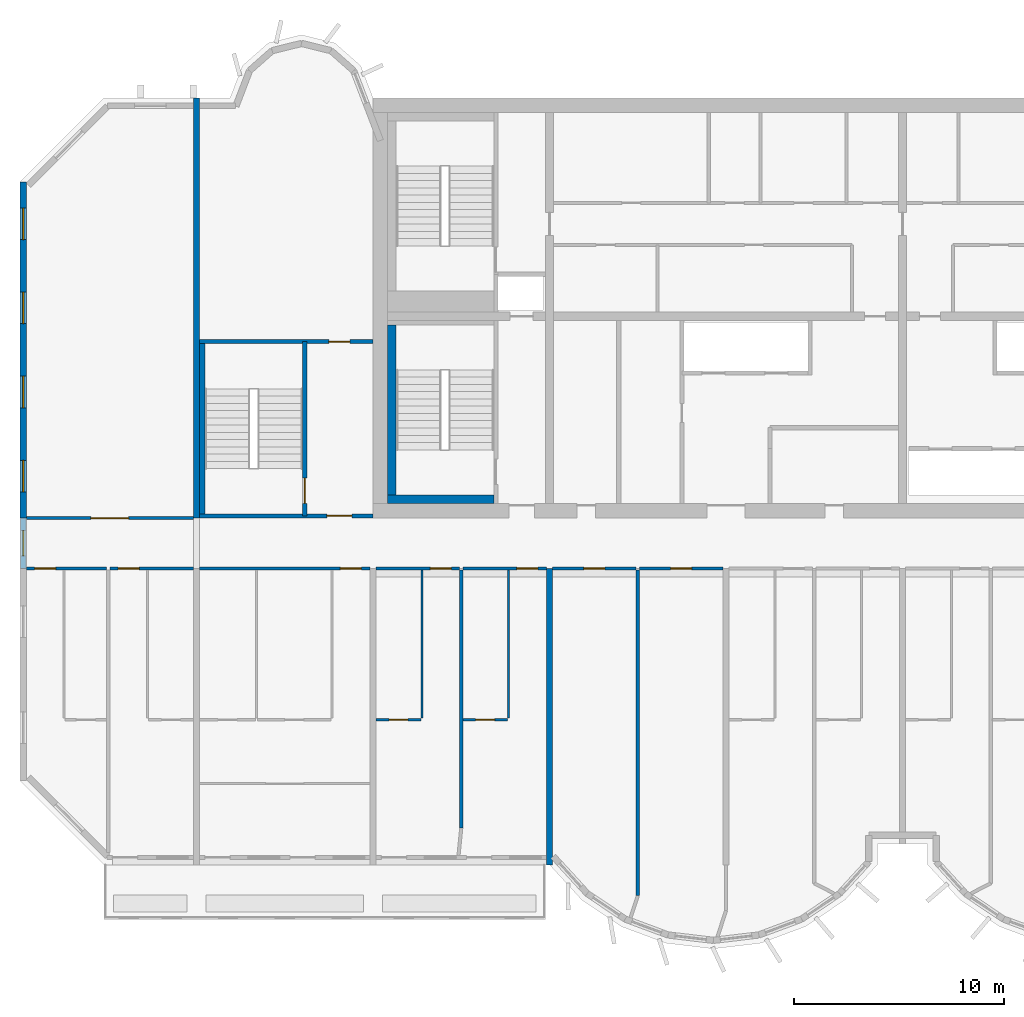
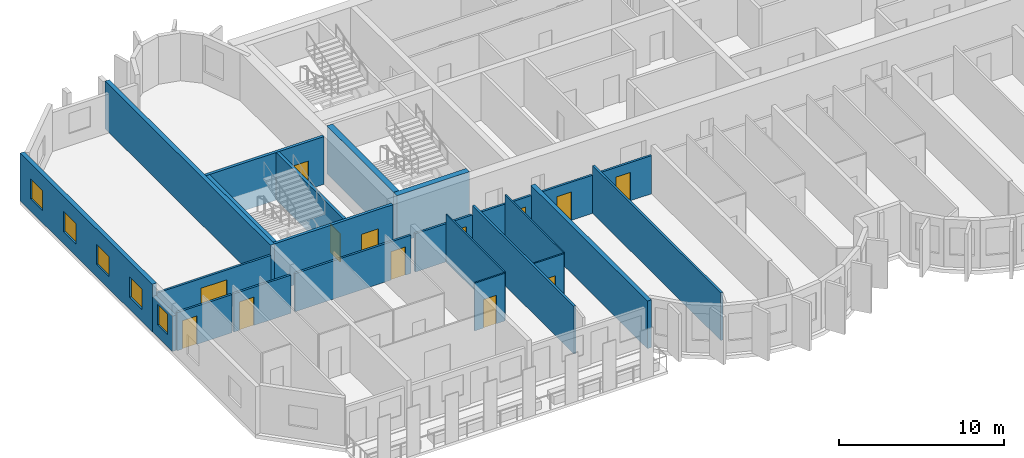
# One storey, part 3 of 13: 24 walls, 13 doors, 5 windows, 18 openings.
"""IFC4 building model written with IfcOpenShell, lengths in metres."""

from ifc_helpers import new_model, si_unit, direction, frame, frame_2d, origin, place, context, subcontext, project, spatial, rectangle, extrude, source, transform, mapped, material, layer, layer_set, type_object, element, fill, save


model = new_model("IFC4")

# Units and contexts
model_context = context("Model", 3, precision=1e-05, world=origin(), true_north=direction((0.0, 1.0)))
body_context = subcontext(model_context, "Body", "Model", "MODEL_VIEW")
ifc_project = project(units=[si_unit("LENGTHUNIT", "METRE"), si_unit("AREAUNIT", "SQUARE_METRE"), si_unit("VOLUMEUNIT", "CUBIC_METRE"), si_unit("PLANEANGLEUNIT", "RADIAN"), si_unit("MASSUNIT", "GRAM", prefix="KILO")], contexts=[model_context])

# Site, building, storey
site_placement = place(None, origin())
site = spatial("IfcSite", under=ifc_project, at=site_placement, CompositionType="ELEMENT")
building_placement = place(site_placement, origin())
building = spatial("IfcBuilding", under=site, at=building_placement, Name="Vanashikhar Sky Hotel", CompositionType="ELEMENT")
storey_placement = place(building_placement, frame((0.0, 0.0, 163.0)))
storey = spatial("IfcBuildingStorey", under=building, at=storey_placement, Name="L39", CompositionType="ELEMENT", Elevation=163.0)

# Wall, openings, windows
ifc_material_1 = material(Name="Concrete M60", Category="concrete")
ifc_layer_1 = layer(ifc_material_1, 0.300048828125)
ifc_layer_set_1 = layer_set([ifc_layer_1], Name="RC shear wall 300 Concrete M60")
wall_type_1 = type_object("IfcWallType", Name="RC shear wall 300 Concrete M60", PredefinedType="SHEAR", material=ifc_layer_set_1)
shared_shape_1 = source(origin(), body_context, "Body", "SweptSolid", [
    extrude(rectangle(XDim=16.0, YDim=0.300048828125, at=frame_2d((8.0, 0.0))), origin(), (0.0, 0.0, 1.0), 3.52001953125),
])
wall_1_placement = place(storey_placement, frame((8.550048828125, 22.0, 0.0), z_axis=(0.0, 0.0, 1.0), x_axis=(0.0, 1.0, 0.0)))
wall_1 = element("IfcWall", 1, at=wall_1_placement, inside=storey, type_object=wall_type_1, Name="CW-L39-XW02-2", PredefinedType="SHEAR", context=body_context, shape_type="MappedRepresentation", body=[
    mapped(shared_shape_1, transform((0.0, 0.0, 0.0), scale=1.0)),
])
shared_shape_2 = source(origin(), body_context, "Body", "SweptSolid", [
    extrude(rectangle(XDim=1.5, YDim=1.5, at=frame_2d((0.75, 0.75))), frame((0.0, 0.16015625, 0.0), z_axis=(0.0, -1.0, 0.0), x_axis=(1.0, 0.0, 0.0)), (0.0, 0.0, 1.0), 0.320068359375),
])
opening_1_placement = place(wall_1_placement, frame((1.25, 0.0, 0.89990234375)))
opening_1 = element("IfcOpeningElement", 2, at=opening_1_placement, cuts=wall_1, Name="Opening WN-1", PredefinedType="OPENING", context=body_context, shape_type="MappedRepresentation", body=[
    mapped(shared_shape_2, transform((0.0, 0.0, 0.0), scale=1.0)),
])
opening_2_placement = place(wall_1_placement, frame((5.25, 0.0, 0.89990234375)))
opening_2 = element("IfcOpeningElement", 3, at=opening_2_placement, cuts=wall_1, Name="Opening WN-1", PredefinedType="OPENING", context=body_context, shape_type="MappedRepresentation", body=[
    mapped(shared_shape_2, transform((0.0, 0.0, 0.0), scale=1.0)),
])
opening_3_placement = place(wall_1_placement, frame((9.25, 0.0, 0.89990234375)))
opening_3 = element("IfcOpeningElement", 4, at=opening_3_placement, cuts=wall_1, Name="Opening WN-1", PredefinedType="OPENING", context=body_context, shape_type="MappedRepresentation", body=[
    mapped(shared_shape_2, transform((0.0, 0.0, 0.0), scale=1.0)),
])
opening_4_placement = place(wall_1_placement, frame((13.25, 0.0, 0.89990234375)))
opening_4 = element("IfcOpeningElement", 5, at=opening_4_placement, cuts=wall_1, Name="Opening WN-1", PredefinedType="OPENING", context=body_context, shape_type="MappedRepresentation", body=[
    mapped(shared_shape_2, transform((0.0, 0.0, 0.0), scale=1.0)),
])
ifc_material_2 = material(Name="Glass", Category="glass")
window_type_1 = type_object("IfcWindowType", Name="Window 1500 x 1500", PartitioningType="SINGLE_PANEL", PredefinedType="WINDOW", material=ifc_material_2)
shared_shape_3 = source(origin(), body_context, "Body", "SweptSolid", [
    extrude(rectangle(XDim=1.5, YDim=1.5, at=frame_2d((0.75, 0.75))), frame((0.0, 0.030029296875, 0.0), z_axis=(0.0, -1.0, 0.0), x_axis=(1.0, 0.0, 0.0)), (0.0, 0.0, 1.0), 0.06005859375),
])
window_1_placement = place(opening_1_placement, origin())
window_1 = element("IfcWindow", 6, at=window_1_placement, inside=storey, type_object=window_type_1, Name="Window WN-1", OverallHeight=1.5, OverallWidth=1.5, PartitioningType="SINGLE_PANEL", PredefinedType="WINDOW", context=body_context, shape_type="MappedRepresentation", body=[
    mapped(shared_shape_3, transform((0.0, 0.0, 0.0), scale=1.0)),
])
fill(opening_1, window_1)
window_2_placement = place(opening_2_placement, origin())
window_2 = element("IfcWindow", 7, at=window_2_placement, inside=storey, type_object=window_type_1, Name="Window WN-1", OverallHeight=1.5, OverallWidth=1.5, PartitioningType="SINGLE_PANEL", PredefinedType="WINDOW", context=body_context, shape_type="MappedRepresentation", body=[
    mapped(shared_shape_3, transform((0.0, 0.0, 0.0), scale=1.0)),
])
fill(opening_2, window_2)
window_3_placement = place(opening_3_placement, origin())
window_3 = element("IfcWindow", 8, at=window_3_placement, inside=storey, type_object=window_type_1, Name="Window WN-1", OverallHeight=1.5, OverallWidth=1.5, PartitioningType="SINGLE_PANEL", PredefinedType="WINDOW", context=body_context, shape_type="MappedRepresentation", body=[
    mapped(shared_shape_3, transform((0.0, 0.0, 0.0), scale=1.0)),
])
fill(opening_3, window_3)
window_4_placement = place(opening_4_placement, origin())
window_4 = element("IfcWindow", 9, at=window_4_placement, inside=storey, type_object=window_type_1, Name="Window WN-1", OverallHeight=1.5, OverallWidth=1.5, PartitioningType="SINGLE_PANEL", PredefinedType="WINDOW", context=body_context, shape_type="MappedRepresentation", body=[
    mapped(shared_shape_3, transform((0.0, 0.0, 0.0), scale=1.0)),
])
fill(opening_4, window_4)

# Walls
shared_shape_4 = source(origin(), body_context, "Body", "SweptSolid", [
    extrude(rectangle(XDim=14.10009765625, YDim=0.300048828125, at=frame_2d((7.050048828125, 0.0))), origin(), (0.0, 0.0, 1.0), 3.52001953125),
])
wall_2_placement = place(storey_placement, frame((33.60009765625, 5.5, 0.0), z_axis=(0.0, 0.0, 1.0), x_axis=(0.0, 1.0, 0.0)))
element("IfcWall", 10, at=wall_2_placement, inside=storey, type_object=wall_type_1, Name="CW-L39-XW05-1", PredefinedType="SHEAR", context=body_context, shape_type="MappedRepresentation", body=[
    mapped(shared_shape_4, transform((0.0, 0.0, 0.0), scale=1.0)),
])
shared_shape_5 = source(origin(), body_context, "Body", "SweptSolid", [
    extrude(rectangle(XDim=20.0, YDim=0.300048828125, at=frame_2d((10.0, 0.0))), origin(), (0.0, 0.0, 1.0), 3.52001953125),
])
wall_3_placement = place(storey_placement, frame((16.800048828125, 22.0, 0.0), z_axis=(0.0, 0.0, 1.0), x_axis=(0.0, 1.0, 0.0)))
element("IfcWall", 11, at=wall_3_placement, inside=storey, type_object=wall_type_1, Name="CW-L39-XW03-2", PredefinedType="SHEAR", context=body_context, shape_type="MappedRepresentation", body=[
    mapped(shared_shape_5, transform((0.0, 0.0, 0.0), scale=1.0)),
])

# Wall, opening, window
ifc_material_3 = material(Name="Concrete M50", Category="concrete")
ifc_layer_2 = layer(ifc_material_3, 0.25)
ifc_layer_set_2 = layer_set([ifc_layer_2], Name="Rear and end board-marked wall 250")
wall_type_2 = type_object("IfcWallType", Name="Rear and end board-marked wall 250", PredefinedType="SOLIDWALL", material=ifc_layer_set_2)
shared_shape_6 = source(origin(), body_context, "Body", "SweptSolid", [
    extrude(rectangle(XDim=2.39990234375, YDim=0.25, at=frame_2d((1.199951171875, 0.0))), origin(), (0.0, 0.0, 1.0), 2.6201171875),
])
wall_4_placement = place(storey_placement, frame((8.550048828125, 19.60009765625, 0.0), z_axis=(0.0, 0.0, 1.0), x_axis=(0.0, 1.0, 0.0)))
wall_4 = element("IfcWall", 12, at=wall_4_placement, inside=storey, type_object=wall_type_2, Name="End corridor infill wall", PredefinedType="SOLIDWALL", context=body_context, shape_type="MappedRepresentation", body=[
    mapped(shared_shape_6, transform((0.0, 0.0, 0.0), scale=1.0)),
])
shared_shape_7 = source(origin(), body_context, "Body", "SweptSolid", [
    extrude(rectangle(XDim=1.199951171875, YDim=1.5, at=frame_2d((0.60009765625, 0.75))), frame((0.0, 0.135009765625, 0.0), z_axis=(0.0, -1.0, 0.0), x_axis=(1.0, 0.0, 0.0)), (0.0, 0.0, 1.0), 0.27001953125),
])
opening_5_placement = place(wall_4_placement, frame((0.60009765625, 0.0, 0.89990234375)))
opening_5 = element("IfcOpeningElement", 13, at=opening_5_placement, cuts=wall_4, Name="Opening WN-3", PredefinedType="OPENING", context=body_context, shape_type="MappedRepresentation", body=[
    mapped(shared_shape_7, transform((0.0, 0.0, 0.0), scale=1.0)),
])
window_type_2 = type_object("IfcWindowType", Name="Corridor end window 1200 x 1500", PartitioningType="SINGLE_PANEL", PredefinedType="WINDOW", material=ifc_material_2)
shared_shape_8 = source(origin(), body_context, "Body", "SweptSolid", [
    extrude(rectangle(XDim=1.199951171875, YDim=1.5, at=frame_2d((0.60009765625, 0.75))), frame((0.0, 0.030029296875, 0.0), z_axis=(0.0, -1.0, 0.0), x_axis=(1.0, 0.0, 0.0)), (0.0, 0.0, 1.0), 0.06005859375),
])
window_5_placement = place(opening_5_placement, origin())
window_5 = element("IfcWindow", 14, at=window_5_placement, inside=storey, type_object=window_type_2, Name="Window WN-3", OverallHeight=1.5, OverallWidth=1.199951171875, PartitioningType="SINGLE_PANEL", PredefinedType="WINDOW", context=body_context, shape_type="MappedRepresentation", body=[
    mapped(shared_shape_8, transform((0.0, 0.0, 0.0), scale=1.0)),
])
fill(opening_5, window_5)

# Wall, opening, door
ifc_layer_3 = layer(ifc_material_3, 0.199951171875)
ifc_layer_set_3 = layer_set([ifc_layer_3], Name="Stair wall 200")
wall_type_3 = type_object("IfcWallType", Name="Stair wall 200", PredefinedType="SOLIDWALL", material=ifc_layer_set_3)
shared_shape_9 = source(origin(), body_context, "Body", "SweptSolid", [
    extrude(rectangle(XDim=8.2998046875, YDim=0.199951171875, at=frame_2d((4.14990234375, 0.0))), origin(), (0.0, 0.0, 1.0), 3.52001953125),
])
wall_5_placement = place(storey_placement, frame((21.949951171875, 22.10009765625, 0.0), z_axis=(0.0, 0.0, 1.0), x_axis=(0.0, 1.0, 0.0)))
wall_5 = element("IfcWall", 15, at=wall_5_placement, inside=storey, type_object=wall_type_3, Name="Stair wall 200", PredefinedType="SOLIDWALL", context=body_context, shape_type="MappedRepresentation", body=[
    mapped(shared_shape_9, transform((0.0, 0.0, 0.0), scale=1.0)),
])
shared_shape_10 = source(origin(), body_context, "Body", "SweptSolid", [
    extrude(rectangle(XDim=1.199951171875, YDim=2.10009765625, at=frame_2d((0.60009765625, 1.050048828125))), frame((0.0, 0.10986328125, 0.0), z_axis=(0.0, -1.0, 0.0), x_axis=(1.0, 0.0, 0.0)), (0.0, 0.0, 1.0), 0.219970703125),
])
opening_6_placement = place(wall_5_placement, frame((0.60009765625, 0.0, 0.0)))
opening_6 = element("IfcOpeningElement", 16, at=opening_6_placement, cuts=wall_5, Name="Opening DC-1", PredefinedType="OPENING", context=body_context, shape_type="MappedRepresentation", body=[
    mapped(shared_shape_10, transform((0.0, 0.0, 0.0), scale=1.0)),
])
ifc_material_4 = material(Name="Steel", Category="steel")
door_type_1 = type_object("IfcDoorType", Name="Stair door 1200 FD120", OperationType="NOTDEFINED", PredefinedType="DOOR", material=ifc_material_4)
shared_shape_11 = source(origin(), body_context, "Body", "SweptSolid", [
    extrude(rectangle(XDim=1.199951171875, YDim=2.10009765625, at=frame_2d((0.60009765625, 1.050048828125))), frame((0.0, 0.02490234375, 0.0), z_axis=(0.0, -1.0, 0.0), x_axis=(1.0, 0.0, 0.0)), (0.0, 0.0, 1.0), 0.050048828125),
])
door_1_placement = place(opening_6_placement, origin())
door_1 = element("IfcDoor", 17, at=door_1_placement, inside=storey, type_object=door_type_1, Name="Stair door 1200 FD120", OperationType="SINGLE_SWING_LEFT", OverallHeight=2.10009765625, OverallWidth=1.199951171875, PredefinedType="DOOR", context=body_context, shape_type="MappedRepresentation", body=[
    mapped(shared_shape_11, transform((0.0, 0.0, 0.0), scale=1.0)),
])
fill(opening_6, door_1)

shared_shape_12 = source(origin(), body_context, "Body", "SweptSolid", [
    extrude(rectangle(XDim=8.25, YDim=0.199951171875, at=frame_2d((4.125, 0.0))), origin(), (0.0, 0.0, 1.0), 3.52001953125),
])
wall_6_placement = place(storey_placement, frame((16.949951171875, 22.10009765625, 0.0), z_axis=(0.0, 0.0, 1.0), x_axis=(1.0, 0.0, 0.0)))
wall_6 = element("IfcWall", 18, at=wall_6_placement, inside=storey, type_object=wall_type_3, Name="Stair wall 200", PredefinedType="SOLIDWALL", context=body_context, shape_type="MappedRepresentation", body=[
    mapped(shared_shape_12, transform((0.0, 0.0, 0.0), scale=1.0)),
])
opening_7_placement = place(wall_6_placement, frame((6.050048828125, 0.0, 0.0)))
opening_7 = element("IfcOpeningElement", 19, at=opening_7_placement, cuts=wall_6, Name="Opening DC-2", PredefinedType="OPENING", context=body_context, shape_type="MappedRepresentation", body=[
    mapped(shared_shape_10, transform((0.0, 0.0, 0.0), scale=1.0)),
])
door_type_2 = type_object("IfcDoorType", Name="Firefighting lobby door 1200 FD120", OperationType="NOTDEFINED", PredefinedType="DOOR", material=ifc_material_4)
door_2_placement = place(opening_7_placement, origin())
door_2 = element("IfcDoor", 20, at=door_2_placement, inside=storey, type_object=door_type_2, Name="Firefighting lobby door 1200 FD120", OperationType="SINGLE_SWING_RIGHT", OverallHeight=2.10009765625, OverallWidth=1.199951171875, PredefinedType="DOOR", context=body_context, shape_type="MappedRepresentation", body=[
    mapped(shared_shape_11, transform((0.0, 0.0, 0.0), scale=1.0)),
])
fill(opening_7, door_2)

wall_7_placement = place(storey_placement, frame((16.949951171875, 30.39990234375, 0.0), z_axis=(0.0, 0.0, 1.0), x_axis=(1.0, 0.0, 0.0)))
wall_7 = element("IfcWall", 21, at=wall_7_placement, inside=storey, type_object=wall_type_3, Name="Stair wall 200", PredefinedType="SOLIDWALL", context=body_context, shape_type="MappedRepresentation", body=[
    mapped(shared_shape_12, transform((0.0, 0.0, 0.0), scale=1.0)),
])
shared_shape_13 = source(origin(), body_context, "Body", "SweptSolid", [
    extrude(rectangle(XDim=1.0, YDim=2.10009765625, at=frame_2d((0.5, 1.050048828125))), frame((0.0, 0.10986328125, 0.0), z_axis=(0.0, -1.0, 0.0), x_axis=(1.0, 0.0, 0.0)), (0.0, 0.0, 1.0), 0.219970703125),
])
opening_8_placement = place(wall_7_placement, frame((6.14990234375, 0.0, 0.0)))
opening_8 = element("IfcOpeningElement", 22, at=opening_8_placement, cuts=wall_7, Name="Opening DC-6", PredefinedType="OPENING", context=body_context, shape_type="MappedRepresentation", body=[
    mapped(shared_shape_13, transform((0.0, 0.0, 0.0), scale=1.0)),
])
door_type_3 = type_object("IfcDoorType", Name="Pocket door 1000 FD60", OperationType="NOTDEFINED", PredefinedType="DOOR", material=ifc_material_4)
shared_shape_14 = source(origin(), body_context, "Body", "SweptSolid", [
    extrude(rectangle(XDim=1.0, YDim=2.10009765625, at=frame_2d((0.5, 1.050048828125))), frame((0.0, 0.02490234375, 0.0), z_axis=(0.0, -1.0, 0.0), x_axis=(1.0, 0.0, 0.0)), (0.0, 0.0, 1.0), 0.050048828125),
])
door_3_placement = place(opening_8_placement, origin())
door_3 = element("IfcDoor", 23, at=door_3_placement, inside=storey, type_object=door_type_3, Name="Pocket door 1000 FD60", OperationType="SINGLE_SWING_RIGHT", OverallHeight=2.10009765625, OverallWidth=1.0, PredefinedType="DOOR", context=body_context, shape_type="MappedRepresentation", body=[
    mapped(shared_shape_14, transform((0.0, 0.0, 0.0), scale=1.0)),
])
fill(opening_8, door_3)

# Walls
ifc_layer_4 = layer(ifc_material_3, 0.39990234375)
ifc_layer_set_4 = layer_set([ifc_layer_4], Name="Stair infill wall 400")
wall_type_4 = type_object("IfcWallType", Name="Stair infill wall 400", PredefinedType="SOLIDWALL", material=ifc_layer_set_4)
shared_shape_15 = source(origin(), body_context, "Body", "SweptSolid", [
    extrude(rectangle(XDim=5.050048828125, YDim=0.39990234375, at=frame_2d((2.52490234375, 0.0))), origin(), (0.0, 0.0, 1.0), 3.52001953125),
])
wall_8_placement = place(storey_placement, frame((25.89990234375, 22.89990234375, 0.0), z_axis=(0.0, 0.0, 1.0), x_axis=(1.0, 0.0, 0.0)))
element("IfcWall", 24, at=wall_8_placement, inside=storey, type_object=wall_type_4, Name="Stair infill wall 400", PredefinedType="SOLIDWALL", context=body_context, shape_type="MappedRepresentation", body=[
    mapped(shared_shape_15, transform((0.0, 0.0, 0.0), scale=1.0)),
])
shared_shape_16 = source(origin(), body_context, "Body", "SweptSolid", [
    extrude(rectangle(XDim=8.099853515625, YDim=0.39990234375, at=frame_2d((4.0498046875, 0.0))), origin(), (0.0, 0.0, 1.0), 3.52001953125),
])
wall_9_placement = place(storey_placement, frame((26.10009765625, 23.10009765625, 0.0), z_axis=(0.0, 0.0, 1.0), x_axis=(0.0, 1.0, 0.0)))
element("IfcWall", 25, at=wall_9_placement, inside=storey, type_object=wall_type_4, Name="Stair infill wall 400", PredefinedType="SOLIDWALL", context=body_context, shape_type="MappedRepresentation", body=[
    mapped(shared_shape_16, transform((0.0, 0.0, 0.0), scale=1.0)),
])
ifc_layer_5 = layer(ifc_material_3, 0.25)
ifc_layer_set_5 = layer_set([ifc_layer_5], Name="Stair infill wall 250")
wall_type_5 = type_object("IfcWallType", Name="Stair infill wall 250", PredefinedType="SOLIDWALL", material=ifc_layer_set_5)
shared_shape_17 = source(origin(), body_context, "Body", "SweptSolid", [
    extrude(rectangle(XDim=8.10009765625, YDim=0.25, at=frame_2d((4.050048828125, 0.0))), origin(), (0.0, 0.0, 1.0), 3.52001953125),
])
wall_10_placement = place(storey_placement, frame((17.074951171875, 22.199951171875, 0.0), z_axis=(0.0, 0.0, 1.0), x_axis=(0.0, 1.0, 0.0)))
element("IfcWall", 26, at=wall_10_placement, inside=storey, type_object=wall_type_5, Name="Stair infill wall 250", PredefinedType="SOLIDWALL", context=body_context, shape_type="MappedRepresentation", body=[
    mapped(shared_shape_17, transform((0.0, 0.0, 0.0), scale=1.0)),
])
ifc_material_5 = material(Name="Gypsum plasterboard partition")
ifc_layer_6 = layer(ifc_material_5, 0.10009765625)
ifc_layer_set_6 = layer_set([ifc_layer_6], Name="Wet room partition 100")
wall_type_6 = type_object("IfcWallType", Name="Wet room partition 100", PredefinedType="PARTITIONING", material=ifc_layer_set_6)
shared_shape_18 = source(origin(), body_context, "Body", "SweptSolid", [
    extrude(rectangle(XDim=7.0498046875, YDim=0.10009765625, at=frame_2d((3.52490234375, 0.0))), origin(), (0.0, 0.0, 1.0), 3.52001953125),
])
for number, where, z_axis, x_axis, name in (
    (27, (27.52490234375, 12.47509765625, 0.0), (0.0, 0.0, 1.0), (0.0, 1.0, 0.0), "W-L39-PW014"),
    (28, (31.64990234375, 12.47509765625, 0.0), (0.0, 0.0, 1.0), (0.0, 1.0, 0.0), "W-L39-PW017"),
):
    element("IfcWall", number, at=place(storey_placement, frame(where, z_axis=z_axis, x_axis=x_axis)), inside=storey, type_object=wall_type_6, Name=name, PredefinedType="PARTITIONING", context=body_context, shape_type="MappedRepresentation", body=[
        mapped(shared_shape_18, transform((0.0, 0.0, 0.0), scale=1.0)),
    ])

# Wall, opening, door
ifc_layer_7 = layer(ifc_material_5, 0.14990234375)
ifc_layer_set_7 = layer_set([ifc_layer_7], Name="Corridor and demising partition 150")
wall_type_7 = type_object("IfcWallType", Name="Corridor and demising partition 150", PredefinedType="PARTITIONING", material=ifc_layer_set_7)
shared_shape_19 = source(origin(), body_context, "Body", "SweptSolid", [
    extrude(rectangle(XDim=7.949951171875, YDim=0.14990234375, at=frame_2d((3.97509765625, 0.0))), origin(), (0.0, 0.0, 1.0), 2.820068359375),
])
wall_11_placement = place(storey_placement, frame((8.699951171875, 22.0, 0.0), z_axis=(0.0, 0.0, 1.0), x_axis=(1.0, 0.0, 0.0)))
wall_11 = element("IfcWall", 29, at=wall_11_placement, inside=storey, type_object=wall_type_7, Name="W-L39-PW059", PredefinedType="PARTITIONING", context=body_context, shape_type="MappedRepresentation", body=[
    mapped(shared_shape_19, transform((0.0, 0.0, 0.0), scale=1.0)),
])
shared_shape_20 = source(origin(), body_context, "Body", "SweptSolid", [
    extrude(rectangle(XDim=1.800048828125, YDim=2.10009765625, at=frame_2d((0.89990234375, 1.050048828125))), frame((0.0, 0.0849609375, 0.0), z_axis=(0.0, -1.0, 0.0), x_axis=(1.0, 0.0, 0.0)), (0.0, 0.0, 1.0), 0.169921875),
])
opening_9_placement = place(wall_11_placement, frame((3.074951171875, 0.0, 0.0)))
opening_9 = element("IfcOpeningElement", 30, at=opening_9_placement, cuts=wall_11, Name="Opening D-03", PredefinedType="OPENING", context=body_context, shape_type="MappedRepresentation", body=[
    mapped(shared_shape_20, transform((0.0, 0.0, 0.0), scale=1.0)),
])
ifc_material_6 = material(Name="Timber fire door", Category="wood")
door_type_4 = type_object("IfcDoorType", Name="Double leaf door 1800 FD30S", OperationType="NOTDEFINED", PredefinedType="DOOR", material=ifc_material_6)
shared_shape_21 = source(origin(), body_context, "Body", "SweptSolid", [
    extrude(rectangle(XDim=1.800048828125, YDim=2.10009765625, at=frame_2d((0.89990234375, 1.050048828125))), frame((0.0, 0.02490234375, 0.0), z_axis=(0.0, -1.0, 0.0), x_axis=(1.0, 0.0, 0.0)), (0.0, 0.0, 1.0), 0.050048828125),
])
door_4_placement = place(opening_9_placement, origin())
door_4 = element("IfcDoor", 31, at=door_4_placement, inside=storey, type_object=door_type_4, Name="D-L39-035", OperationType="DOUBLE_DOOR_SINGLE_SWING", OverallHeight=2.10009765625, OverallWidth=1.800048828125, PredefinedType="DOOR", context=body_context, shape_type="MappedRepresentation", body=[
    mapped(shared_shape_21, transform((0.0, 0.0, 0.0), scale=1.0)),
])
fill(opening_9, door_4)

# Walls
shared_shape_22 = source(origin(), body_context, "Body", "SweptSolid", [
    extrude(rectangle(XDim=12.27490234375, YDim=0.14990234375, at=frame_2d((6.137451171875, 0.0))), origin(), (0.0, 0.0, 1.0), 3.52001953125),
])
wall_12_placement = place(storey_placement, frame((29.39990234375, 7.25, 0.0), z_axis=(0.0, 0.0, 1.0), x_axis=(0.0, 1.0, 0.0)))
element("IfcWall", 32, at=wall_12_placement, inside=storey, type_object=wall_type_7, Name="W-L39-PW020", PredefinedType="PARTITIONING", context=body_context, shape_type="MappedRepresentation", body=[
    mapped(shared_shape_22, transform((0.0, 0.0, 0.0), scale=1.0)),
])
shared_shape_23 = source(origin(), body_context, "Body", "SweptSolid", [
    extrude(rectangle(XDim=15.497802734375, YDim=0.14990234375, at=frame_2d((7.7490234375, 0.0))), origin(), (0.0, 0.0, 1.0), 3.52001953125),
])
wall_13_placement = place(storey_placement, frame((37.800048828125, 4.027099609375, 0.0), z_axis=(0.0, 0.0, 1.0), x_axis=(0.0, 1.0, 0.0)))
element("IfcWall", 33, at=wall_13_placement, inside=storey, type_object=wall_type_7, Name="W-L39-PW023", PredefinedType="PARTITIONING", context=body_context, shape_type="MappedRepresentation", body=[
    mapped(shared_shape_23, transform((0.0, 0.0, 0.0), scale=1.0)),
])

# Wall, opening, door
shared_shape_24 = source(origin(), body_context, "Body", "SweptSolid", [
    extrude(rectangle(XDim=2.125, YDim=0.10009765625, at=frame_2d((1.0625, 0.0))), origin(), (0.0, 0.0, 1.0), 3.52001953125),
])
wall_14_placement = place(storey_placement, frame((25.35009765625, 12.39990234375, 0.0), z_axis=(0.0, 0.0, 1.0), x_axis=(1.0, 0.0, 0.0)))
wall_14 = element("IfcWall", 34, at=wall_14_placement, inside=storey, type_object=wall_type_6, Name="W-L39-PW015", PredefinedType="PARTITIONING", context=body_context, shape_type="MappedRepresentation", body=[
    mapped(shared_shape_24, transform((0.0, 0.0, 0.0), scale=1.0)),
])
shared_shape_25 = source(origin(), body_context, "Body", "SweptSolid", [
    extrude(rectangle(XDim=0.89990234375, YDim=2.10009765625, at=frame_2d((0.449951171875, 1.050048828125))), frame((0.0, 0.06005859375, 0.0), z_axis=(0.0, -1.0, 0.0), x_axis=(1.0, 0.0, 0.0)), (0.0, 0.0, 1.0), 0.1201171875),
])
opening_10_placement = place(wall_14_placement, frame((0.613037109375, 0.0, 0.0)))
opening_10 = element("IfcOpeningElement", 35, at=opening_10_placement, cuts=wall_14, Name="Opening D-02", PredefinedType="OPENING", context=body_context, shape_type="MappedRepresentation", body=[
    mapped(shared_shape_25, transform((0.0, 0.0, 0.0), scale=1.0)),
])
ifc_material_7 = material(Name="Timber door", Category="wood")
door_type_5 = type_object("IfcDoorType", Name="Internal door 900", OperationType="NOTDEFINED", PredefinedType="DOOR", material=ifc_material_7)
shared_shape_26 = source(origin(), body_context, "Body", "SweptSolid", [
    extrude(rectangle(XDim=0.89990234375, YDim=2.10009765625, at=frame_2d((0.449951171875, 1.050048828125))), frame((0.0, 0.02490234375, 0.0), z_axis=(0.0, -1.0, 0.0), x_axis=(1.0, 0.0, 0.0)), (0.0, 0.0, 1.0), 0.050048828125),
])
door_5_placement = place(opening_10_placement, origin())
door_5 = element("IfcDoor", 36, at=door_5_placement, inside=storey, type_object=door_type_5, Name="D-L39-009", OperationType="SINGLE_SWING_RIGHT", OverallHeight=2.10009765625, OverallWidth=0.89990234375, PredefinedType="DOOR", context=body_context, shape_type="MappedRepresentation", body=[
    mapped(shared_shape_26, transform((0.0, 0.0, 0.0), scale=1.0)),
])
fill(opening_10, door_5)

wall_15_placement = place(storey_placement, frame((29.47509765625, 12.39990234375, 0.0), z_axis=(0.0, 0.0, 1.0), x_axis=(1.0, 0.0, 0.0)))
wall_15 = element("IfcWall", 37, at=wall_15_placement, inside=storey, type_object=wall_type_6, Name="W-L39-PW018", PredefinedType="PARTITIONING", context=body_context, shape_type="MappedRepresentation", body=[
    mapped(shared_shape_24, transform((0.0, 0.0, 0.0), scale=1.0)),
])
opening_11_placement = place(wall_15_placement, frame((0.613037109375, 0.0, 0.0)))
opening_11 = element("IfcOpeningElement", 38, at=opening_11_placement, cuts=wall_15, Name="Opening D-02", PredefinedType="OPENING", context=body_context, shape_type="MappedRepresentation", body=[
    mapped(shared_shape_25, transform((0.0, 0.0, 0.0), scale=1.0)),
])
door_6_placement = place(opening_11_placement, origin())
door_6 = element("IfcDoor", 39, at=door_6_placement, inside=storey, type_object=door_type_5, Name="D-L39-011", OperationType="SINGLE_SWING_RIGHT", OverallHeight=2.10009765625, OverallWidth=0.89990234375, PredefinedType="DOOR", context=body_context, shape_type="MappedRepresentation", body=[
    mapped(shared_shape_26, transform((0.0, 0.0, 0.0), scale=1.0)),
])
fill(opening_11, door_6)

shared_shape_27 = source(origin(), body_context, "Body", "SweptSolid", [
    extrude(rectangle(XDim=8.10009765625, YDim=0.14990234375, at=frame_2d((4.050048828125, 0.0))), origin(), (0.0, 0.0, 1.0), 2.820068359375),
])
wall_16_placement = place(storey_placement, frame((16.949951171875, 19.60009765625, 0.0), z_axis=(0.0, 0.0, 1.0), x_axis=(1.0, 0.0, 0.0)))
wall_16 = element("IfcWall", 40, at=wall_16_placement, inside=storey, type_object=wall_type_7, Name="W-L39-PW013", PredefinedType="PARTITIONING", context=body_context, shape_type="MappedRepresentation", body=[
    mapped(shared_shape_27, transform((0.0, 0.0, 0.0), scale=1.0)),
])
shared_shape_28 = source(origin(), body_context, "Body", "SweptSolid", [
    extrude(rectangle(XDim=1.0, YDim=2.10009765625, at=frame_2d((0.5, 1.050048828125))), frame((0.0, 0.0849609375, 0.0), z_axis=(0.0, -1.0, 0.0), x_axis=(1.0, 0.0, 0.0)), (0.0, 0.0, 1.0), 0.169921875),
])
opening_12_placement = place(wall_16_placement, frame((6.699951171875, 0.0, 0.0)))
opening_12 = element("IfcOpeningElement", 41, at=opening_12_placement, cuts=wall_16, Name="Opening D-01", PredefinedType="OPENING", context=body_context, shape_type="MappedRepresentation", body=[
    mapped(shared_shape_28, transform((0.0, 0.0, 0.0), scale=1.0)),
])
door_type_6 = type_object("IfcDoorType", Name="Guest entry door 1000 FD30S", OperationType="NOTDEFINED", PredefinedType="DOOR", material=ifc_material_6)
door_7_placement = place(opening_12_placement, origin())
door_7 = element("IfcDoor", 42, at=door_7_placement, inside=storey, type_object=door_type_6, Name="D-L39-008", OperationType="SINGLE_SWING_RIGHT", OverallHeight=2.10009765625, OverallWidth=1.0, PredefinedType="DOOR", context=body_context, shape_type="MappedRepresentation", body=[
    mapped(shared_shape_14, transform((0.0, 0.0, 0.0), scale=1.0)),
])
fill(opening_12, door_7)

shared_shape_29 = source(origin(), body_context, "Body", "SweptSolid", [
    extrude(rectangle(XDim=3.974853515625, YDim=0.14990234375, at=frame_2d((1.9873046875, 0.0))), origin(), (0.0, 0.0, 1.0), 2.820068359375),
])
wall_17_placement = place(storey_placement, frame((12.675048828125, 19.60009765625, 0.0), z_axis=(0.0, 0.0, 1.0), x_axis=(1.0, 0.0, 0.0)))
wall_17 = element("IfcWall", 43, at=wall_17_placement, inside=storey, type_object=wall_type_7, Name="W-L39-PW006", PredefinedType="PARTITIONING", context=body_context, shape_type="MappedRepresentation", body=[
    mapped(shared_shape_29, transform((0.0, 0.0, 0.0), scale=1.0)),
])
opening_13_placement = place(wall_17_placement, frame((0.39990234375, 0.0, 0.0)))
opening_13 = element("IfcOpeningElement", 44, at=opening_13_placement, cuts=wall_17, Name="Opening D-01", PredefinedType="OPENING", context=body_context, shape_type="MappedRepresentation", body=[
    mapped(shared_shape_28, transform((0.0, 0.0, 0.0), scale=1.0)),
])
door_8_placement = place(opening_13_placement, origin())
door_8 = element("IfcDoor", 45, at=door_8_placement, inside=storey, type_object=door_type_6, Name="D-L39-004", OperationType="SINGLE_SWING_LEFT", OverallHeight=2.10009765625, OverallWidth=1.0, PredefinedType="DOOR", context=body_context, shape_type="MappedRepresentation", body=[
    mapped(shared_shape_14, transform((0.0, 0.0, 0.0), scale=1.0)),
])
fill(opening_13, door_8)

wall_18_placement = place(storey_placement, frame((25.35009765625, 19.60009765625, 0.0), z_axis=(0.0, 0.0, 1.0), x_axis=(1.0, 0.0, 0.0)))
wall_18 = element("IfcWall", 46, at=wall_18_placement, inside=storey, type_object=wall_type_7, Name="W-L39-PW016", PredefinedType="PARTITIONING", context=body_context, shape_type="MappedRepresentation", body=[
    mapped(shared_shape_29, transform((0.0, 0.0, 0.0), scale=1.0)),
])
opening_14_placement = place(wall_18_placement, frame((2.574951171875, 0.0, 0.0)))
opening_14 = element("IfcOpeningElement", 47, at=opening_14_placement, cuts=wall_18, Name="Opening D-01", PredefinedType="OPENING", context=body_context, shape_type="MappedRepresentation", body=[
    mapped(shared_shape_28, transform((0.0, 0.0, 0.0), scale=1.0)),
])
door_9_placement = place(opening_14_placement, origin())
door_9 = element("IfcDoor", 48, at=door_9_placement, inside=storey, type_object=door_type_6, Name="D-L39-010", OperationType="SINGLE_SWING_RIGHT", OverallHeight=2.10009765625, OverallWidth=1.0, PredefinedType="DOOR", context=body_context, shape_type="MappedRepresentation", body=[
    mapped(shared_shape_14, transform((0.0, 0.0, 0.0), scale=1.0)),
])
fill(opening_14, door_9)

wall_19_placement = place(storey_placement, frame((29.47509765625, 19.60009765625, 0.0), z_axis=(0.0, 0.0, 1.0), x_axis=(1.0, 0.0, 0.0)))
wall_19 = element("IfcWall", 49, at=wall_19_placement, inside=storey, type_object=wall_type_7, Name="W-L39-PW019", PredefinedType="PARTITIONING", context=body_context, shape_type="MappedRepresentation", body=[
    mapped(shared_shape_29, transform((0.0, 0.0, 0.0), scale=1.0)),
])
opening_15_placement = place(wall_19_placement, frame((2.574951171875, 0.0, 0.0)))
opening_15 = element("IfcOpeningElement", 50, at=opening_15_placement, cuts=wall_19, Name="Opening D-01", PredefinedType="OPENING", context=body_context, shape_type="MappedRepresentation", body=[
    mapped(shared_shape_28, transform((0.0, 0.0, 0.0), scale=1.0)),
])
door_10_placement = place(opening_15_placement, origin())
door_10 = element("IfcDoor", 51, at=door_10_placement, inside=storey, type_object=door_type_6, Name="D-L39-012", OperationType="SINGLE_SWING_RIGHT", OverallHeight=2.10009765625, OverallWidth=1.0, PredefinedType="DOOR", context=body_context, shape_type="MappedRepresentation", body=[
    mapped(shared_shape_14, transform((0.0, 0.0, 0.0), scale=1.0)),
])
fill(opening_15, door_10)

shared_shape_30 = source(origin(), body_context, "Body", "SweptSolid", [
    extrude(rectangle(XDim=3.97509765625, YDim=0.14990234375, at=frame_2d((1.987548828125, 0.0))), origin(), (0.0, 0.0, 1.0), 2.820068359375),
])
wall_20_placement = place(storey_placement, frame((33.75, 19.60009765625, 0.0), z_axis=(0.0, 0.0, 1.0), x_axis=(1.0, 0.0, 0.0)))
wall_20 = element("IfcWall", 52, at=wall_20_placement, inside=storey, type_object=wall_type_7, Name="W-L39-PW021", PredefinedType="PARTITIONING", context=body_context, shape_type="MappedRepresentation", body=[
    mapped(shared_shape_30, transform((0.0, 0.0, 0.0), scale=1.0)),
])
opening_16_placement = place(wall_20_placement, frame((1.487060546875, 0.0, 0.0)))
opening_16 = element("IfcOpeningElement", 53, at=opening_16_placement, cuts=wall_20, Name="Opening D-01", PredefinedType="OPENING", context=body_context, shape_type="MappedRepresentation", body=[
    mapped(shared_shape_28, transform((0.0, 0.0, 0.0), scale=1.0)),
])
door_11_placement = place(opening_16_placement, origin())
door_11 = element("IfcDoor", 54, at=door_11_placement, inside=storey, type_object=door_type_6, Name="D-L39-013", OperationType="SINGLE_SWING_LEFT", OverallHeight=2.10009765625, OverallWidth=1.0, PredefinedType="DOOR", context=body_context, shape_type="MappedRepresentation", body=[
    mapped(shared_shape_14, transform((0.0, 0.0, 0.0), scale=1.0)),
])
fill(opening_16, door_11)

wall_21_placement = place(storey_placement, frame((37.875, 19.60009765625, 0.0), z_axis=(0.0, 0.0, 1.0), x_axis=(1.0, 0.0, 0.0)))
wall_21 = element("IfcWall", 55, at=wall_21_placement, inside=storey, type_object=wall_type_7, Name="W-L39-PW022", PredefinedType="PARTITIONING", context=body_context, shape_type="MappedRepresentation", body=[
    mapped(shared_shape_30, transform((0.0, 0.0, 0.0), scale=1.0)),
])
opening_17_placement = place(wall_21_placement, frame((1.487060546875, 0.0, 0.0)))
opening_17 = element("IfcOpeningElement", 56, at=opening_17_placement, cuts=wall_21, Name="Opening D-01", PredefinedType="OPENING", context=body_context, shape_type="MappedRepresentation", body=[
    mapped(shared_shape_28, transform((0.0, 0.0, 0.0), scale=1.0)),
])
door_12_placement = place(opening_17_placement, origin())
door_12 = element("IfcDoor", 57, at=door_12_placement, inside=storey, type_object=door_type_6, Name="D-L39-014", OperationType="SINGLE_SWING_RIGHT", OverallHeight=2.10009765625, OverallWidth=1.0, PredefinedType="DOOR", context=body_context, shape_type="MappedRepresentation", body=[
    mapped(shared_shape_14, transform((0.0, 0.0, 0.0), scale=1.0)),
])
fill(opening_17, door_12)

shared_shape_31 = source(origin(), body_context, "Body", "SweptSolid", [
    extrude(rectangle(XDim=3.824951171875, YDim=0.14990234375, at=frame_2d((1.91259765625, 0.0))), origin(), (0.0, 0.0, 1.0), 2.820068359375),
])
wall_22_placement = place(storey_placement, frame((8.699951171875, 19.60009765625, 0.0), z_axis=(0.0, 0.0, 1.0), x_axis=(1.0, 0.0, 0.0)))
wall_22 = element("IfcWall", 58, at=wall_22_placement, inside=storey, type_object=wall_type_7, Name="W-L39-PW003", PredefinedType="PARTITIONING", context=body_context, shape_type="MappedRepresentation", body=[
    mapped(shared_shape_31, transform((0.0, 0.0, 0.0), scale=1.0)),
])
opening_18_placement = place(wall_22_placement, frame((0.39990234375, 0.0, 0.0)))
opening_18 = element("IfcOpeningElement", 59, at=opening_18_placement, cuts=wall_22, Name="Opening D-01", PredefinedType="OPENING", context=body_context, shape_type="MappedRepresentation", body=[
    mapped(shared_shape_28, transform((0.0, 0.0, 0.0), scale=1.0)),
])
door_13_placement = place(opening_18_placement, origin())
door_13 = element("IfcDoor", 60, at=door_13_placement, inside=storey, type_object=door_type_6, Name="D-L39-002", OperationType="SINGLE_SWING_LEFT", OverallHeight=2.10009765625, OverallWidth=1.0, PredefinedType="DOOR", context=body_context, shape_type="MappedRepresentation", body=[
    mapped(shared_shape_14, transform((0.0, 0.0, 0.0), scale=1.0)),
])
fill(opening_18, door_13)

save(model, "model.ifc")
